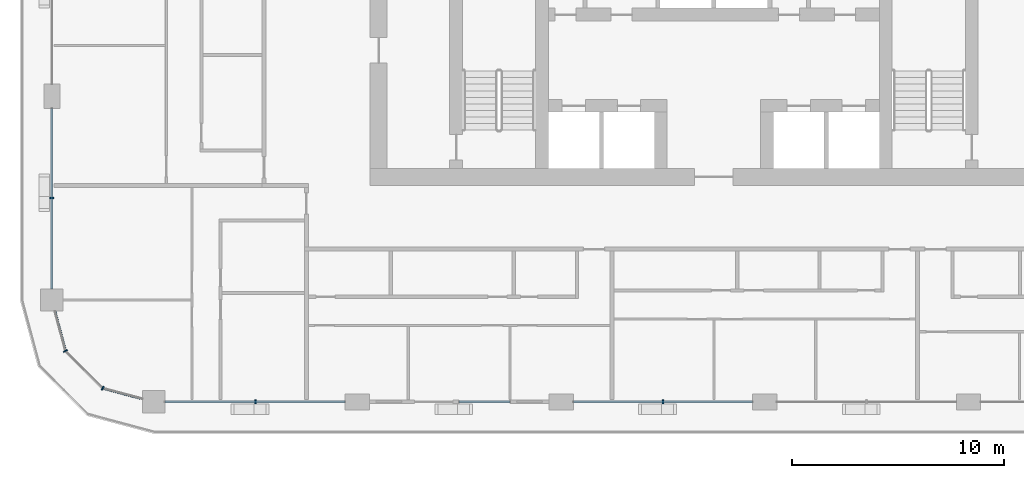
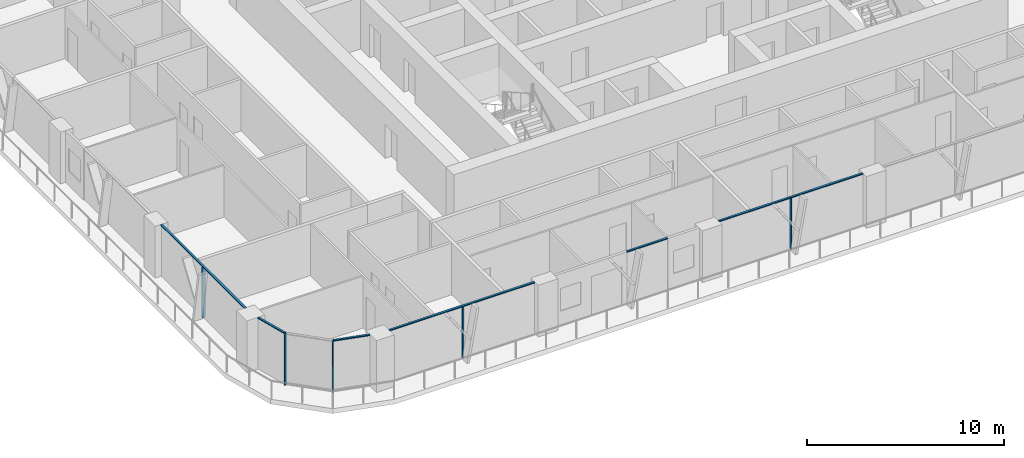
# One storey, part 2 of 23: 11 members, 5 elements without a shape of their own.
"""IFC4 building model written with IfcOpenShell, lengths in metres."""

from ifc_helpers import new_model, si_unit, direction, frame, origin, origin_2d, place, context, subcontext, project, spatial, rectangle, extrude, material, layer, layer_set, material_profile, profile_set, type_object, element, aggregate, save


model = new_model("IFC4")

# Units and contexts
model_context = context("Model", 3, precision=1e-05, world=origin(), true_north=direction((0.0, 1.0)))
body_context = subcontext(model_context, "Body", "Model", "MODEL_VIEW")
ifc_project = project(units=[si_unit("LENGTHUNIT", "METRE"), si_unit("AREAUNIT", "SQUARE_METRE"), si_unit("VOLUMEUNIT", "CUBIC_METRE"), si_unit("PLANEANGLEUNIT", "RADIAN"), si_unit("MASSUNIT", "GRAM", prefix="KILO")], contexts=[model_context])

# Site, building, storey
site_placement = place(None, origin())
site = spatial("IfcSite", under=ifc_project, at=site_placement, CompositionType="ELEMENT")
building_placement = place(site_placement, origin())
building = spatial("IfcBuilding", under=site, at=building_placement, Name="Madar Terraces", CompositionType="ELEMENT")
storey_placement = place(building_placement, frame((0.0, 0.0, 133.10009765625)))
storey = spatial("IfcBuildingStorey", under=building, at=storey_placement, Name="L34", CompositionType="ELEMENT", Elevation=133.10009765625)

# Curtain wall, member
ifc_material_1 = material(Name="Glass, ceramic frit dark grey, with black aluminium frame", Category="aluminium")
ifc_layer = layer(ifc_material_1, 0.199951171875)
ifc_layer_set = layer_set([ifc_layer], Name="Facade curtain wall, fritted glass")
curtain_wall_type = type_object("IfcCurtainWallType", Name="Facade curtain wall, fritted glass", PredefinedType="NOTDEFINED", material=ifc_layer_set)
curtain_wall_1_placement = place(storey_placement, origin())
curtain_wall_1 = element("IfcCurtainWall", 1, at=curtain_wall_1_placement, inside=storey, type_object=curtain_wall_type, Name="Outer skin curtain wall south bay 1", PredefinedType="NOTDEFINED")
ifc_material_2 = material(Name="Aluminium, black anodised", Category="aluminium")
ifc_material_profile_1 = material_profile(ifc_material_2, rectangle(XDim=0.199951171875, YDim=0.06005859375, at=origin_2d()), Name="Facade mullion 60x200")
ifc_profile_set_1 = profile_set([ifc_material_profile_1], Name="Aluminium, black anodised")
member_type_1 = type_object("IfcMemberType", Name="Facade mullion 60x200", PredefinedType="MULLION", material=ifc_profile_set_1)
member_1_placement = place(storey_placement, frame((9.60009765625, 4.800048828125, 0.0), z_axis=(0.0, 0.0, 1.0), x_axis=(0.0, 1.0, 0.0)))
member_1 = element("IfcMember", 2, at=member_1_placement, type_object=member_type_1, Name="Mullion 1", PredefinedType="MULLION", context=body_context, shape_type="SweptSolid", body=[
    extrude(rectangle(XDim=0.199951171875, YDim=0.06005859375, at=origin_2d()), origin(), (0.0, 0.0, 1.0), 3.139892578125),
])

curtain_wall_2_placement = place(storey_placement, origin())
curtain_wall_2 = element("IfcCurtainWall", 3, at=curtain_wall_2_placement, inside=storey, type_object=curtain_wall_type, Name="Outer skin curtain wall south bay 3", PredefinedType="NOTDEFINED")
member_2_placement = place(storey_placement, frame((28.800048828125, 4.800048828125, 0.0), z_axis=(0.0, 0.0, 1.0), x_axis=(0.0, 1.0, 0.0)))
member_2 = element("IfcMember", 4, at=member_2_placement, type_object=member_type_1, Name="Mullion 1", PredefinedType="MULLION", context=body_context, shape_type="SweptSolid", body=[
    extrude(rectangle(XDim=0.199951171875, YDim=0.06005859375, at=origin_2d()), origin(), (0.0, 0.0, 1.0), 3.139892578125),
])

curtain_wall_3_placement = place(storey_placement, origin())
curtain_wall_3 = element("IfcCurtainWall", 5, at=curtain_wall_3_placement, inside=storey, type_object=curtain_wall_type, Name="Outer skin curtain wall west bay 4", PredefinedType="NOTDEFINED")
member_3_placement = place(storey_placement, frame((0.0, 14.39990234375, 0.0), z_axis=(0.0, 0.0, 1.0), x_axis=(1.0, 0.0, 0.0)))
member_3 = element("IfcMember", 6, at=member_3_placement, type_object=member_type_1, Name="Mullion 1", PredefinedType="MULLION", context=body_context, shape_type="SweptSolid", body=[
    extrude(rectangle(XDim=0.199951171875, YDim=0.06005859375, at=origin_2d()), origin(), (0.0, 0.0, 1.0), 3.139892578125),
])

# Curtain wall, members
curtain_wall_4_placement = place(storey_placement, origin())
curtain_wall_4 = element("IfcCurtainWall", 7, at=curtain_wall_4_placement, inside=storey, type_object=curtain_wall_type, Name="Outer skin curtain wall south-west corner", PredefinedType="NOTDEFINED")
member_4_placement = place(storey_placement, frame((0.64306640625, 7.199951171875, 0.0), z_axis=(0.0, 0.0, 1.0), x_axis=(0.866025409797, 0.499999989586, 0.0)))
member_4 = element("IfcMember", 8, at=member_4_placement, type_object=member_type_1, Name="Mullion 1", PredefinedType="MULLION", context=body_context, shape_type="SweptSolid", body=[
    extrude(rectangle(XDim=0.199951171875, YDim=0.06005859375, at=origin_2d()), origin(), (0.0, 0.0, 1.0), 3.139892578125),
])
member_5_placement = place(storey_placement, frame((2.39990234375, 5.443115234375, 0.0), z_axis=(0.0, 0.0, 1.0), x_axis=(0.499999989586, 0.866025409797, 0.0)))
member_5 = element("IfcMember", 9, at=member_5_placement, type_object=member_type_1, Name="Mullion 2", PredefinedType="MULLION", context=body_context, shape_type="SweptSolid", body=[
    extrude(rectangle(XDim=0.199951171875, YDim=0.06005859375, at=origin_2d()), origin(), (0.0, 0.0, 1.0), 3.139892578125),
])

# Member
ifc_material_3 = material(Name="Aluminium, black anodised", Category="aluminium")
ifc_material_profile_2 = material_profile(ifc_material_3, rectangle(XDim=0.1201171875, YDim=0.06005859375, at=origin_2d()), Name="Facade transom 60x120")
ifc_profile_set_2 = profile_set([ifc_material_profile_2], Name="Aluminium, black anodised")
member_type_2 = type_object("IfcMemberType", Name="Facade transom 60x120", PredefinedType="USERDEFINED", material=ifc_profile_set_2)
member_6_placement = place(storey_placement, frame((5.324951171875, 4.800048828125, 3.169921875), z_axis=(1.0, 0.0, 0.0), x_axis=(0.0, 1.0, 0.0)))
member_6 = element("IfcMember", 10, at=member_6_placement, type_object=member_type_2, Name="Transom 1", ObjectType="TRANSOM", PredefinedType="USERDEFINED", context=body_context, shape_type="SweptSolid", body=[
    extrude(rectangle(XDim=0.1201171875, YDim=0.06005859375, at=origin_2d()), origin(), (0.0, 0.0, 1.0), 8.5),
])

aggregate(curtain_wall_1, [member_1, member_6])

# Curtain wall, member
curtain_wall_5_placement = place(storey_placement, origin())
curtain_wall_5 = element("IfcCurtainWall", 11, at=curtain_wall_5_placement, inside=storey, type_object=curtain_wall_type, Name="Outer skin curtain wall south bay 2", PredefinedType="NOTDEFINED")
member_7_placement = place(storey_placement, frame((19.199951171875, 4.800048828125, 3.169921875), z_axis=(1.0, 0.0, 0.0), x_axis=(0.0, 1.0, 0.0)))
member_7 = element("IfcMember", 12, at=member_7_placement, type_object=member_type_2, Name="Transom 1", ObjectType="TRANSOM", PredefinedType="USERDEFINED", context=body_context, shape_type="SweptSolid", body=[
    extrude(rectangle(XDim=0.1201171875, YDim=0.06005859375, at=origin_2d()), origin(), (0.0, 0.0, 1.0), 2.400146484375),
])
aggregate(curtain_wall_5, [member_7])

# Member
member_8_placement = place(storey_placement, frame((24.574951171875, 4.800048828125, 3.169921875), z_axis=(1.0, 0.0, 0.0), x_axis=(0.0, 1.0, 0.0)))
member_8 = element("IfcMember", 13, at=member_8_placement, type_object=member_type_2, Name="Transom 1", ObjectType="TRANSOM", PredefinedType="USERDEFINED", context=body_context, shape_type="SweptSolid", body=[
    extrude(rectangle(XDim=0.1201171875, YDim=0.06005859375, at=origin_2d()), origin(), (0.0, 0.0, 1.0), 8.449951171875),
])

aggregate(curtain_wall_2, [member_2, member_8])

member_9_placement = place(storey_placement, frame((0.0, 18.625, 3.169921875), z_axis=(0.0, -1.0, 0.0), x_axis=(1.0, 0.0, 0.0)))
member_9 = element("IfcMember", 14, at=member_9_placement, type_object=member_type_2, Name="Transom 1", ObjectType="TRANSOM", PredefinedType="USERDEFINED", context=body_context, shape_type="SweptSolid", body=[
    extrude(rectangle(XDim=0.1201171875, YDim=0.06005859375, at=origin_2d()), origin(), (0.0, 0.0, 1.0), 8.5),
])

aggregate(curtain_wall_3, [member_3, member_9])

member_10_placement = place(storey_placement, frame((0.140625, 9.074951171875, 3.169921875), z_axis=(0.258823354654, -0.965924671538, 0.0), x_axis=(0.965924671538, 0.258823354654, 0.0)))
member_10 = element("IfcMember", 15, at=member_10_placement, type_object=member_type_2, Name="Transom 1", ObjectType="TRANSOM", PredefinedType="USERDEFINED", context=body_context, shape_type="SweptSolid", body=[
    extrude(rectangle(XDim=0.1201171875, YDim=0.06005859375, at=origin_2d()), origin(), (0.0, 0.0, 1.0), 1.9111328125),
])

member_11_placement = place(storey_placement, frame((2.428955078125, 5.435302734375, 3.169921875), z_axis=(0.965924671538, -0.258823354654, 0.0), x_axis=(0.258823354654, 0.965924671538, 0.0)))
member_11 = element("IfcMember", 16, at=member_11_placement, type_object=member_type_2, Name="Transom 3", ObjectType="TRANSOM", PredefinedType="USERDEFINED", context=body_context, shape_type="SweptSolid", body=[
    extrude(rectangle(XDim=0.1201171875, YDim=0.06005859375, at=origin_2d()), origin(), (0.0, 0.0, 1.0), 1.9111328125),
])

aggregate(curtain_wall_4, [member_4, member_10, member_5, member_11])

save(model, "model.ifc")
